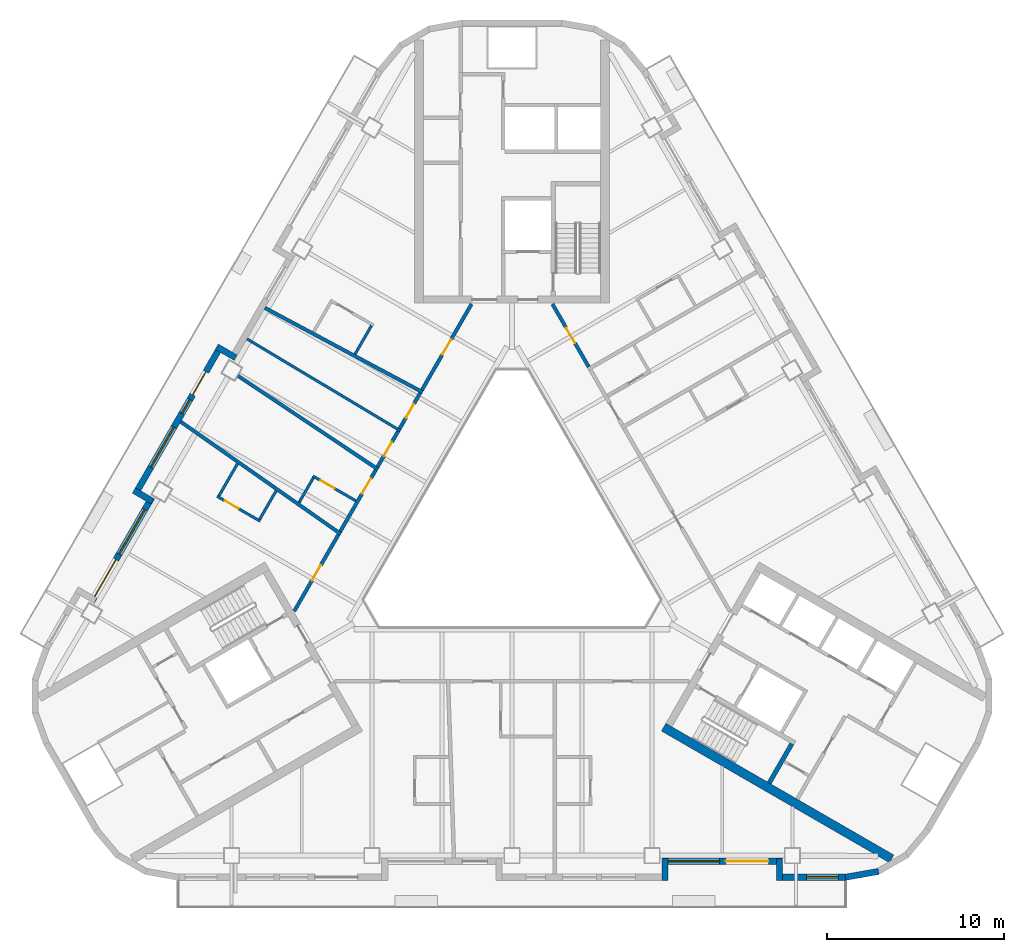
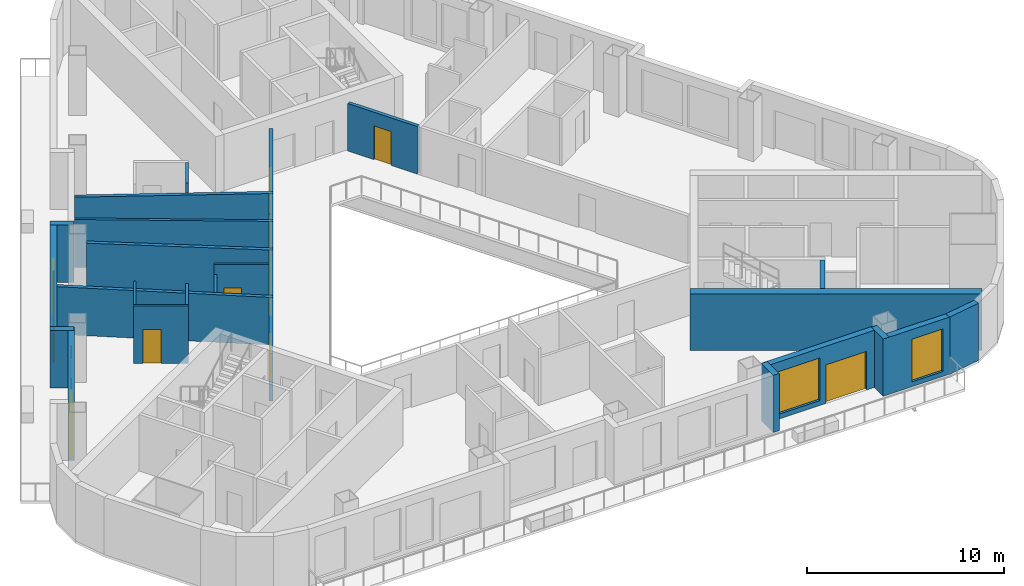
# One storey, part 4 of 13: 27 walls, 11 doors, 5 windows, 16 openings.
"""IFC4 building model written with IfcOpenShell, lengths in metres."""

import ifcopenshell
import ifcopenshell.guid

model = None  # the IFC model being written
_history = None  # IfcOwnerHistory: only IFC2X3 demands one
_inside = {}  # id of a spatial element -> (the spatial element, [elements in it])
_under = {}  # id of a project, library or spatial element -> (it, [spatial elements below it])
_declared = {}  # id of a project -> (the project, [libraries it declares])
_typed = {}  # id of a type object -> (the type object, [elements of that type])
_made_of = {}  # id of a material, layer set ... -> (it, [elements and type objects made of it])


def new_model(schema):
    """Start an empty IFC model of exactly this schema.

    Asked for "IFC4X3", IfcOpenShell would pick the latest addendum, in which some entities
    have other attributes; the version numbers below select the first issue.
    IFC2X3 requires an IfcOwnerHistory on every rooted entity: one is made here for all.
    """
    global model, _history
    if schema == "IFC4X3":
        model = ifcopenshell.file(schema_version=(4, 3, 0, 0))
    else:
        model = ifcopenshell.file(schema=schema)
    _inside.clear()
    _under.clear()
    _declared.clear()
    _typed.clear()
    _made_of.clear()
    _history = None
    if model.schema == "IFC2X3":
        org = make("IfcOrganization", Name="unknown")
        user = make(
            "IfcPersonAndOrganization",
            ThePerson=make("IfcPerson", FamilyName="unknown"),
            TheOrganization=org,
        )
        app = make(
            "IfcApplication",
            ApplicationDeveloper=org,
            Version="unknown",
            ApplicationFullName="unknown",
            ApplicationIdentifier="unknown",
        )
        _history = make(
            "IfcOwnerHistory",
            OwningUser=user,
            OwningApplication=app,
            ChangeAction="ADDED",
            CreationDate=0,
        )
    return model


def make(cls, **values):
    """One entity of the class cls with the attributes given. An attribute that is None is left unset."""
    return model.create_entity(
        cls, **{name: value for name, value in values.items() if value is not None}
    )


def rooted(cls, **values):
    """An entity with a GlobalId (a new one), such as an element, a storey or a relation."""
    return make(cls, GlobalId=ifcopenshell.guid.new(), OwnerHistory=_history, **values)


def si_unit(unit_type, name, prefix=None):
    """IfcSIUnit, for example si_unit("LENGTHUNIT", "METRE", prefix="MILLI")."""
    return make("IfcSIUnit", UnitType=unit_type, Prefix=prefix, Name=name)


def assignment(units):
    """IfcUnitAssignment: the units of a project."""
    return None if units is None else make("IfcUnitAssignment", Units=units)


def point(xyz):
    """IfcCartesianPoint."""
    return None if xyz is None else make("IfcCartesianPoint", Coordinates=xyz)


def direction(xyz):
    """IfcDirection."""
    return None if xyz is None else make("IfcDirection", DirectionRatios=xyz)


def frame(location, z_axis=None, x_axis=None):
    """IfcAxis2Placement3D, a coordinate frame: its origin and axes. An axis left out is left unset."""
    return make(
        "IfcAxis2Placement3D",
        Location=point(location),
        Axis=direction(z_axis),
        RefDirection=direction(x_axis),
    )


def frame_2d(location, x_axis=None):
    """IfcAxis2Placement2D, a coordinate frame in the plane: its origin and x axis."""
    return make(
        "IfcAxis2Placement2D", Location=point(location), RefDirection=direction(x_axis)
    )


def origin():
    """The frame at (0, 0, 0) with its axes left unset."""
    return frame((0.0, 0.0, 0.0))


def place(relative_to, where):
    """IfcLocalPlacement: puts the frame where relative to a parent placement (None: the world)."""
    return make(
        "IfcLocalPlacement", PlacementRelTo=relative_to, RelativePlacement=where
    )


def context(
    kind, dimensions, precision=None, world=None, true_north=None, identifier=None
):
    """IfcGeometricRepresentationContext, for example the 3D "Model" context."""
    return make(
        "IfcGeometricRepresentationContext",
        ContextIdentifier=identifier,
        ContextType=kind,
        CoordinateSpaceDimension=dimensions,
        Precision=precision,
        WorldCoordinateSystem=world,
        TrueNorth=true_north,
    )


def subcontext(parent, identifier, kind, view, scale=None):
    """IfcGeometricRepresentationSubContext, for example "Body" below "Model"."""
    return make(
        "IfcGeometricRepresentationSubContext",
        ContextIdentifier=identifier,
        ContextType=kind,
        ParentContext=parent,
        TargetScale=scale,
        TargetView=view,
    )


def project(units=None, contexts=None):
    """IfcProject with its units and contexts."""
    return rooted(
        "IfcProject",
        Name="project",
        RepresentationContexts=contexts,
        UnitsInContext=assignment(units),
    )


def spatial(cls, under=None, at=None, **own):
    """A site, building, storey or space (cls), placed at a placement, below another one or the project."""
    s = rooted(cls, ObjectPlacement=at, **own)
    if under is not None:
        _under.setdefault(under.id(), (under, []))[1].append(s)
    return s


def profile(cls, at=None, kind="AREA", **sizes):
    """A parametric profile (cls). Its sizes go by their IFC names, for example OverallWidth=200.0."""
    return make(cls, ProfileType=kind, Position=at, **sizes)


def rectangle(**sizes):
    """IfcRectangleProfileDef."""
    return profile("IfcRectangleProfileDef", **sizes)


def extrude(swept, where, along, depth):
    """IfcExtrudedAreaSolid: the profile swept, set in the frame where, extruded along a direction by depth."""
    return make(
        "IfcExtrudedAreaSolid",
        SweptArea=swept,
        Position=where,
        ExtrudedDirection=direction(along),
        Depth=depth,
    )


def shape(context_of_items, identifier, shape_type, items):
    """IfcShapeRepresentation: the items that make up one representation, for example the "Body"."""
    return make(
        "IfcShapeRepresentation",
        ContextOfItems=context_of_items,
        RepresentationIdentifier=identifier,
        RepresentationType=shape_type,
        Items=items,
    )


def material(Name=None, Category=None):
    """IfcMaterial."""
    return make("IfcMaterial", Name=Name, Category=Category)


def layer(
    of_material, thickness, ventilated=None, Name=None, Category=None, Priority=None
):
    """IfcMaterialLayer: one layer of a wall or slab, of a material (None: an air gap)."""
    return make(
        "IfcMaterialLayer",
        Material=of_material,
        LayerThickness=thickness,
        IsVentilated=ventilated,
        Name=Name,
        Category=Category,
        Priority=Priority,
    )


def layer_set(layers, Name=None):
    """IfcMaterialLayerSet."""
    return make("IfcMaterialLayerSet", MaterialLayers=layers, LayerSetName=Name)


def made_of(thing, what):
    """Note that an element or type object is made of a material, layer set ...; save() writes the relation."""
    if what is not None:
        _made_of.setdefault(what.id(), (what, []))[1].append(thing)
    return thing


def type_object(cls, material=None, **own):
    """A type object (cls), such as IfcWallType, which elements share."""
    return made_of(rooted(cls, **own), material)


def element(
    cls,
    number,
    at=None,
    inside=None,
    cuts=None,
    type_object=None,
    material=None,
    context=None,
    identifier="Body",
    shape_type=None,
    held_by="IfcProductDefinitionShape",
    body=None,
    shapes=None,
    **own,
):
    """One element of the class cls, such as IfcWall. Its Tag is "e" and its number.

    at: its placement. inside: the storey or other place that contains it. cuts: it is an
    opening in that element (IfcRelVoidsElement). A single representation is given by context,
    identifier, shape_type and body (its items); several are given by shapes. held_by: the class
    of the entity that holds the representations. save() writes the other relations.
    """
    e = rooted(cls, Tag="e%d" % number, ObjectPlacement=at, **own)
    if body is not None:
        shapes = [shape(context, identifier, shape_type, body)]
    if shapes is not None:
        e.Representation = make(held_by, Representations=shapes)
    if inside is not None:
        _inside.setdefault(inside.id(), (inside, []))[1].append(e)
    if cuts is not None:
        rooted(
            "IfcRelVoidsElement", RelatingBuildingElement=cuts, RelatedOpeningElement=e
        )
    if type_object is not None:
        _typed.setdefault(type_object.id(), (type_object, []))[1].append(e)
    return made_of(e, material)


def fill(opening, filler):
    """IfcRelFillsElement: the door or window that sits in an opening."""
    return rooted(
        "IfcRelFillsElement",
        RelatingOpeningElement=opening,
        RelatedBuildingElement=filler,
    )


def aggregate(whole, parts):
    """IfcRelAggregates: a whole, such as a stair, and the parts it consists of."""
    return rooted("IfcRelAggregates", RelatingObject=whole, RelatedObjects=parts)


def save(model, path):
    """Write the relations noted so far, then the file.

    IfcRelAggregates (storeys below a building ...), IfcRelContainedInSpatialStructure (elements
    in a storey), IfcRelDefinesByType, IfcRelAssociatesMaterial and IfcRelDeclares: one each for
    every whole, place, type object, material and project.
    """
    for whole, parts in _under.values():
        aggregate(whole, parts)
    for where, things in _inside.values():
        rooted(
            "IfcRelContainedInSpatialStructure",
            RelatedElements=things,
            RelatingStructure=where,
        )
    for kind, things in _typed.values():
        rooted("IfcRelDefinesByType", RelatedObjects=things, RelatingType=kind)
    for what, things in _made_of.values():
        rooted("IfcRelAssociatesMaterial", RelatedObjects=things, RelatingMaterial=what)
    for by, libraries in _declared.values():
        rooted("IfcRelDeclares", RelatingContext=by, RelatedDefinitions=libraries)
    model.write(path)


model = new_model("IFC4")

# Units and contexts
model_context = context("Model", 3, precision=1e-05, world=origin(), true_north=direction((0.0, 1.0)))
body_context = subcontext(model_context, "Body", "Model", "MODEL_VIEW")
ifc_project = project(units=[si_unit("LENGTHUNIT", "METRE"), si_unit("AREAUNIT", "SQUARE_METRE"), si_unit("VOLUMEUNIT", "CUBIC_METRE"), si_unit("PLANEANGLEUNIT", "RADIAN"), si_unit("MASSUNIT", "GRAM", prefix="KILO")], contexts=[model_context])

# Site, building, storey
site_placement = place(None, origin())
site = spatial("IfcSite", under=ifc_project, at=site_placement, CompositionType="ELEMENT")
building_placement = place(site_placement, origin())
building = spatial("IfcBuilding", under=site, at=building_placement, Name="Apuvela Tower Hotel", CompositionType="ELEMENT")
storey_placement = place(building_placement, frame((0.0, 0.0, 94.60009765625)))
storey = spatial("IfcBuildingStorey", under=building, at=storey_placement, Name="L21", CompositionType="ELEMENT", Elevation=94.60009765625)

# Walls
ifc_material_1 = material(Name="Concrete C50/60", Category="concrete")
ifc_layer_1 = layer(ifc_material_1, 0.5)
ifc_layer_set_1 = layer_set([ifc_layer_1], Name="COR-WALL-CORE-500")
wall_type_1 = type_object("IfcWallType", Name="COR-WALL-CORE-500", PredefinedType="SHEAR", material=ifc_layer_set_1)
wall_1_placement = place(storey_placement, frame((8.546630859375, -10.99658203125, 0.0), z_axis=(0.0, 0.0, 1.0), x_axis=(0.866025009528, -0.500000682871, 0.0)))
element("IfcWall", 1, at=wall_1_placement, inside=storey, type_object=wall_type_1, Name="Core wall SE", PredefinedType="SHEAR", context=body_context, shape_type="SweptSolid", body=[
    extrude(rectangle(XDim=14.8369140625, YDim=0.5, at=frame_2d((7.41845703125, 0.0))), origin(), (0.0, 0.0, 1.0), 3.5),
])
ifc_layer_2 = layer(ifc_material_1, 0.25)
ifc_layer_set_2 = layer_set([ifc_layer_2], Name="COR-WALL-STAIR-250")
wall_type_2 = type_object("IfcWallType", Name="COR-WALL-STAIR-250", PredefinedType="SHEAR", material=ifc_layer_set_2)
wall_2_placement = place(storey_placement, frame((14.49560546875, -14.142578125, 0.0), z_axis=(0.0, 0.0, 1.0), x_axis=(0.500062241894, 0.865989465428, 0.0)))
element("IfcWall", 2, at=wall_2_placement, inside=storey, type_object=wall_type_2, Name="Stair wall SE", PredefinedType="SHEAR", context=body_context, shape_type="SweptSolid", body=[
    extrude(rectangle(XDim=2.550048828125, YDim=0.25, at=frame_2d((1.27490234375, 0.0))), origin(), (0.0, 0.0, 1.0), 3.5),
])
ifc_material_2 = material(Name="Concrete C40/50, dark pigmented precast panel", Category="concrete")
ifc_layer_3 = layer(ifc_material_2, 0.35009765625)
ifc_layer_set_3 = layer_set([ifc_layer_3], Name="ENV-WALL-350")
wall_type_3 = type_object("IfcWallType", Name="ENV-WALL-350", PredefinedType="SOLIDWALL", material=ifc_layer_set_3)
wall_3_placement = place(storey_placement, frame((-15.580810546875, 9.8330078125, 0.0), z_axis=(0.0, 0.0, 1.0), x_axis=(-0.866055662726, 0.499947586314, 0.0)))
element("IfcWall", 3, at=wall_3_placement, inside=storey, type_object=wall_type_3, Name="External wall L21-04", PredefinedType="SOLIDWALL", context=body_context, shape_type="SweptSolid", body=[
    extrude(rectangle(XDim=1.220458984375, YDim=0.35009765625, at=frame_2d((0.6103515625, 0.0))), origin(), (0.0, 0.0, 1.0), 3.5498046875),
])

# Wall, openings, door, windows
wall_4_placement = place(storey_placement, frame((-16.3984375, 10.507080078125, 0.0), z_axis=(0.0, 0.0, 1.0), x_axis=(-0.499999142773, -0.866025898704, 0.0)))
wall_4 = element("IfcWall", 4, at=wall_4_placement, inside=storey, type_object=wall_type_3, Name="External wall L21-05", PredefinedType="SOLIDWALL", context=body_context, shape_type="SweptSolid", body=[
    extrude(rectangle(XDim=9.7001953125, YDim=0.35009765625, at=frame_2d((4.85009765625, 0.0))), origin(), (0.0, 0.0, 1.0), 3.5498046875),
])
opening_1_placement = place(wall_4_placement, frame((1.7001953125, 0.0, 0.0)))
opening_1 = element("IfcOpeningElement", 5, at=opening_1_placement, cuts=wall_4, Name="Opening BD15", PredefinedType="OPENING", context=body_context, shape_type="SweptSolid", body=[
    extrude(rectangle(XDim=1.5, YDim=2.39990234375, at=frame_2d((0.75, 1.199951171875))), frame((0.0, 0.18505859375, 0.0), z_axis=(0.0, -1.0, 0.0), x_axis=(1.0, 0.0, 0.0)), (0.0, 0.0, 1.0), 0.3701171875),
])
opening_2_placement = place(wall_4_placement, frame((3.500244140625, 0.0, 0.300048828125)))
opening_2 = element("IfcOpeningElement", 6, at=opening_2_placement, cuts=wall_4, Name="Opening WN09", PredefinedType="OPENING", context=body_context, shape_type="SweptSolid", body=[
    extrude(rectangle(XDim=0.89990234375, YDim=2.64990234375, at=frame_2d((0.449951171875, 1.324951171875))), frame((0.0, 0.18505859375, 0.0), z_axis=(0.0, -1.0, 0.0), x_axis=(1.0, 0.0, 0.0)), (0.0, 0.0, 1.0), 0.3701171875),
])
opening_3_placement = place(wall_4_placement, frame((5.300537109375, 0.0, 0.300048828125)))
opening_3 = element("IfcOpeningElement", 7, at=opening_3_placement, cuts=wall_4, Name="Opening WN26", PredefinedType="OPENING", context=body_context, shape_type="SweptSolid", body=[
    extrude(rectangle(XDim=2.60009765625, YDim=2.64990234375, at=frame_2d((1.300048828125, 1.324951171875))), frame((0.0, 0.18505859375, 0.0), z_axis=(0.0, -1.0, 0.0), x_axis=(1.0, 0.0, 0.0)), (0.0, 0.0, 1.0), 0.3701171875),
])
ifc_material_3 = material(Name="Aluminium 6063-T6, dark bronze anodised frame with dark tinted laminated glass", Category="aluminium")
door_type_1 = type_object("IfcDoorType", Name="ENV-DOOR-BALCONY-1500x2400", OperationType="SLIDING_TO_LEFT", PredefinedType="DOOR", material=ifc_material_3)
door_1_placement = place(opening_1_placement, frame((1.5, 0.0, 0.0), z_axis=(0.0, 0.0, 1.0), x_axis=(-1.0, 0.0, 0.0)))
door_1 = element("IfcDoor", 8, at=door_1_placement, inside=storey, type_object=door_type_1, Name="Balcony door BD15", OperationType="SLIDING_TO_LEFT", OverallHeight=2.39990234375, OverallWidth=1.5, PredefinedType="DOOR", context=body_context, shape_type="SweptSolid", body=[
    extrude(rectangle(XDim=1.5, YDim=2.39990234375, at=frame_2d((0.75, 1.199951171875))), frame((0.0, 0.02490234375, 0.0), z_axis=(0.0, -1.0, 0.0), x_axis=(1.0, 0.0, 0.0)), (0.0, 0.0, 1.0), 0.050048828125),
])
fill(opening_1, door_1)
ifc_material_4 = material(Name="Glass, dark tinted laminated insulated glazing unit", Category="glass")
window_type_1 = type_object("IfcWindowType", Name="ENV-WIN-2600x2650", PartitioningType="SINGLE_PANEL", PredefinedType="WINDOW", material=ifc_material_4)
window_1_placement = place(opening_3_placement, origin())
window_1 = element("IfcWindow", 9, at=window_1_placement, inside=storey, type_object=window_type_1, Name="Window WN26", OverallHeight=2.64990234375, OverallWidth=2.60009765625, PartitioningType="SINGLE_PANEL", PredefinedType="WINDOW", context=body_context, shape_type="SweptSolid", body=[
    extrude(rectangle(XDim=2.60009765625, YDim=2.64990234375, at=frame_2d((1.300048828125, 1.324951171875))), frame((0.0, 0.030029296875, 0.0), z_axis=(0.0, -1.0, 0.0), x_axis=(1.0, 0.0, 0.0)), (0.0, 0.0, 1.0), 0.06005859375),
])
fill(opening_3, window_1)
window_type_2 = type_object("IfcWindowType", Name="ENV-WIN-900x2650", PartitioningType="SINGLE_PANEL", PredefinedType="WINDOW", material=ifc_material_4)
window_2_placement = place(opening_2_placement, origin())
window_2 = element("IfcWindow", 10, at=window_2_placement, inside=storey, type_object=window_type_2, Name="Window WN09", OverallHeight=2.64990234375, OverallWidth=0.89990234375, PartitioningType="SINGLE_PANEL", PredefinedType="WINDOW", context=body_context, shape_type="SweptSolid", body=[
    extrude(rectangle(XDim=0.89990234375, YDim=2.64990234375, at=frame_2d((0.449951171875, 1.324951171875))), frame((0.0, 0.030029296875, 0.0), z_axis=(0.0, -1.0, 0.0), x_axis=(1.0, 0.0, 0.0)), (0.0, 0.0, 1.0), 0.06005859375),
])
fill(opening_2, window_2)

# Wall
wall_5_placement = place(storey_placement, frame((-21.3125, 2.345703125, 0.0), z_axis=(0.0, 0.0, 1.0), x_axis=(0.866005645448, -0.500034220881, 0.0)))
element("IfcWall", 11, at=wall_5_placement, inside=storey, type_object=wall_type_3, Name="External wall L21-06", PredefinedType="SOLIDWALL", context=body_context, shape_type="SweptSolid", body=[
    extrude(rectangle(XDim=1.22021484375, YDim=0.35009765625, at=frame_2d((0.610107421875, 0.0))), origin(), (0.0, 0.0, 1.0), 3.5498046875),
])

# Wall, openings, door, window
wall_6_placement = place(storey_placement, frame((-20.30908203125, 1.93359375, 0.0), z_axis=(0.0, 0.0, 1.0), x_axis=(-0.499992114976, -0.866029956157, 0.0)))
wall_6 = element("IfcWall", 12, at=wall_6_placement, inside=storey, type_object=wall_type_3, Name="External wall L21-07", PredefinedType="SOLIDWALL", context=body_context, shape_type="SweptSolid", body=[
    extrude(rectangle(XDim=6.73974609375, YDim=0.35009765625, at=frame_2d((3.369873046875, 0.0))), origin(), (0.0, 0.0, 1.0), 3.5498046875),
])
opening_4_placement = place(wall_6_placement, frame((4.02001953125, 0.0, 0.0)))
opening_4 = element("IfcOpeningElement", 13, at=opening_4_placement, cuts=wall_6, Name="Opening BD24", PredefinedType="OPENING", context=body_context, shape_type="SweptSolid", body=[
    extrude(rectangle(XDim=2.39990234375, YDim=2.39990234375, at=frame_2d((1.199951171875, 1.199951171875))), frame((0.0, 0.18505859375, 0.0), z_axis=(0.0, -1.0, 0.0), x_axis=(1.0, 0.0, 0.0)), (0.0, 0.0, 1.0), 0.3701171875),
])
opening_5_placement = place(wall_6_placement, frame((0.77001953125, 0.0, 0.300048828125)))
opening_5 = element("IfcOpeningElement", 14, at=opening_5_placement, cuts=wall_6, Name="Opening WN29", PredefinedType="OPENING", context=body_context, shape_type="SweptSolid", body=[
    extrude(rectangle(XDim=2.89990234375, YDim=2.64990234375, at=frame_2d((1.449951171875, 1.324951171875))), frame((0.0, 0.18505859375, 0.0), z_axis=(0.0, -1.0, 0.0), x_axis=(1.0, 0.0, 0.0)), (0.0, 0.0, 1.0), 0.3701171875),
])
door_type_2 = type_object("IfcDoorType", Name="ENV-DOOR-BALCONY-2400x2400", OperationType="SLIDING_TO_LEFT", PredefinedType="DOOR", material=ifc_material_3)
door_2_placement = place(opening_4_placement, frame((2.39990234375, 0.0, 0.0), z_axis=(0.0, 0.0, 1.0), x_axis=(-1.0, 0.0, 0.0)))
door_2 = element("IfcDoor", 15, at=door_2_placement, inside=storey, type_object=door_type_2, Name="Balcony door BD24", OperationType="SLIDING_TO_LEFT", OverallHeight=2.39990234375, OverallWidth=2.39990234375, PredefinedType="DOOR", context=body_context, shape_type="SweptSolid", body=[
    extrude(rectangle(XDim=2.39990234375, YDim=2.39990234375, at=frame_2d((1.199951171875, 1.199951171875))), frame((0.0, 0.02490234375, 0.0), z_axis=(0.0, -1.0, 0.0), x_axis=(1.0, 0.0, 0.0)), (0.0, 0.0, 1.0), 0.050048828125),
])
fill(opening_4, door_2)
window_type_3 = type_object("IfcWindowType", Name="ENV-WIN-2900x2650", PartitioningType="SINGLE_PANEL", PredefinedType="WINDOW", material=ifc_material_4)
window_3_placement = place(opening_5_placement, origin())
window_3 = element("IfcWindow", 16, at=window_3_placement, inside=storey, type_object=window_type_3, Name="Window WN29", OverallHeight=2.64990234375, OverallWidth=2.89990234375, PartitioningType="SINGLE_PANEL", PredefinedType="WINDOW", context=body_context, shape_type="SweptSolid", body=[
    extrude(rectangle(XDim=2.89990234375, YDim=2.64990234375, at=frame_2d((1.449951171875, 1.324951171875))), frame((0.0, 0.030029296875, 0.0), z_axis=(0.0, -1.0, 0.0), x_axis=(1.0, 0.0, 0.0)), (0.0, 0.0, 1.0), 0.06005859375),
])
fill(opening_5, window_3)

# Wall
wall_7_placement = place(storey_placement, frame((8.625, -19.6298828125, 0.0), z_axis=(0.0, 0.0, 1.0), x_axis=(0.0, 1.0, 0.0)))
element("IfcWall", 17, at=wall_7_placement, inside=storey, type_object=wall_type_3, Name="External wall L21-22", PredefinedType="SOLIDWALL", context=body_context, shape_type="SweptSolid", body=[
    extrude(rectangle(XDim=1.219970703125, YDim=0.35009765625, at=frame_2d((0.60986328125, 0.0))), origin(), (0.0, 0.0, 1.0), 3.5498046875),
])

# Wall, openings, door, window
wall_8_placement = place(storey_placement, frame((8.47998046875, -18.554931640625, 0.0), z_axis=(0.0, 0.0, 1.0), x_axis=(1.0, 0.0, 0.0)))
wall_8 = element("IfcWall", 18, at=wall_8_placement, inside=storey, type_object=wall_type_3, Name="External wall L21-23", PredefinedType="SOLIDWALL", context=body_context, shape_type="SweptSolid", body=[
    extrude(rectangle(XDim=6.739990234375, YDim=0.35009765625, at=frame_2d((3.3701171875, 0.0))), origin(), (0.0, 0.0, 1.0), 3.5498046875),
])
opening_6_placement = place(wall_8_placement, frame((3.570068359375, 0.0, 0.0)))
opening_6 = element("IfcOpeningElement", 19, at=opening_6_placement, cuts=wall_8, Name="Opening BD24", PredefinedType="OPENING", context=body_context, shape_type="SweptSolid", body=[
    extrude(rectangle(XDim=2.39990234375, YDim=2.39990234375, at=frame_2d((1.199951171875, 1.199951171875))), frame((0.0, 0.18505859375, 0.0), z_axis=(0.0, -1.0, 0.0), x_axis=(1.0, 0.0, 0.0)), (0.0, 0.0, 1.0), 0.3701171875),
])
opening_7_placement = place(wall_8_placement, frame((0.3203125, 0.0, 0.300048828125)))
opening_7 = element("IfcOpeningElement", 20, at=opening_7_placement, cuts=wall_8, Name="Opening WN29", PredefinedType="OPENING", context=body_context, shape_type="SweptSolid", body=[
    extrude(rectangle(XDim=2.89990234375, YDim=2.64990234375, at=frame_2d((1.449951171875, 1.324951171875))), frame((0.0, 0.18505859375, 0.0), z_axis=(0.0, -1.0, 0.0), x_axis=(1.0, 0.0, 0.0)), (0.0, 0.0, 1.0), 0.3701171875),
])
door_3_placement = place(opening_6_placement, frame((2.39990234375, 0.0, 0.0), z_axis=(0.0, 0.0, 1.0), x_axis=(-1.0, 0.0, 0.0)))
door_3 = element("IfcDoor", 21, at=door_3_placement, inside=storey, type_object=door_type_2, Name="Balcony door BD24", OperationType="SLIDING_TO_LEFT", OverallHeight=2.39990234375, OverallWidth=2.39990234375, PredefinedType="DOOR", context=body_context, shape_type="SweptSolid", body=[
    extrude(rectangle(XDim=2.39990234375, YDim=2.39990234375, at=frame_2d((1.199951171875, 1.199951171875))), frame((0.0, 0.02490234375, 0.0), z_axis=(0.0, -1.0, 0.0), x_axis=(1.0, 0.0, 0.0)), (0.0, 0.0, 1.0), 0.050048828125),
])
fill(opening_6, door_3)
window_4_placement = place(opening_7_placement, origin())
window_4 = element("IfcWindow", 22, at=window_4_placement, inside=storey, type_object=window_type_3, Name="Window WN29", OverallHeight=2.64990234375, OverallWidth=2.89990234375, PartitioningType="SINGLE_PANEL", PredefinedType="WINDOW", context=body_context, shape_type="SweptSolid", body=[
    extrude(rectangle(XDim=2.89990234375, YDim=2.64990234375, at=frame_2d((1.449951171875, 1.324951171875))), frame((0.0, 0.030029296875, 0.0), z_axis=(0.0, -1.0, 0.0), x_axis=(1.0, 0.0, 0.0)), (0.0, 0.0, 1.0), 0.06005859375),
])
fill(opening_7, window_4)

# Wall
wall_9_placement = place(storey_placement, frame((15.074951171875, -18.409912109375, 0.0), z_axis=(0.0, 0.0, 1.0), x_axis=(0.0, -1.0, 0.0)))
element("IfcWall", 23, at=wall_9_placement, inside=storey, type_object=wall_type_3, Name="External wall L21-24", PredefinedType="SOLIDWALL", context=body_context, shape_type="SweptSolid", body=[
    extrude(rectangle(XDim=1.219970703125, YDim=0.35009765625, at=frame_2d((0.60986328125, 0.0))), origin(), (0.0, 0.0, 1.0), 3.5498046875),
])

# Wall, opening, window
wall_10_placement = place(storey_placement, frame((14.89990234375, -19.455078125, 0.0), z_axis=(0.0, 0.0, 1.0), x_axis=(1.0, 0.0, 0.0)))
wall_10 = element("IfcWall", 24, at=wall_10_placement, inside=storey, type_object=wall_type_3, Name="External wall L21-25", PredefinedType="SOLIDWALL", context=body_context, shape_type="SweptSolid", body=[
    extrude(rectangle(XDim=3.916015625, YDim=0.35009765625, at=frame_2d((1.9580078125, 0.0))), origin(), (0.0, 0.0, 1.0), 3.5498046875),
])
opening_8_placement = place(wall_10_placement, frame((1.699951171875, 0.0, 0.300048828125)))
opening_8 = element("IfcOpeningElement", 25, at=opening_8_placement, cuts=wall_10, Name="Opening WN18", PredefinedType="OPENING", context=body_context, shape_type="SweptSolid", body=[
    extrude(rectangle(XDim=1.800048828125, YDim=2.64990234375, at=frame_2d((0.89990234375, 1.324951171875))), frame((0.0, 0.18505859375, 0.0), z_axis=(0.0, -1.0, 0.0), x_axis=(1.0, 0.0, 0.0)), (0.0, 0.0, 1.0), 0.3701171875),
])
window_type_4 = type_object("IfcWindowType", Name="ENV-WIN-1800x2650", PartitioningType="SINGLE_PANEL", PredefinedType="WINDOW", material=ifc_material_4)
window_5_placement = place(opening_8_placement, origin())
window_5 = element("IfcWindow", 26, at=window_5_placement, inside=storey, type_object=window_type_4, Name="Window WN18", OverallHeight=2.64990234375, OverallWidth=1.800048828125, PartitioningType="SINGLE_PANEL", PredefinedType="WINDOW", context=body_context, shape_type="SweptSolid", body=[
    extrude(rectangle(XDim=1.800048828125, YDim=2.64990234375, at=frame_2d((0.89990234375, 1.324951171875))), frame((0.0, 0.030029296875, 0.0), z_axis=(0.0, -1.0, 0.0), x_axis=(1.0, 0.0, 0.0)), (0.0, 0.0, 1.0), 0.06005859375),
])
fill(opening_8, window_5)

# Walls
wall_11_placement = place(storey_placement, frame((18.785400390625, -19.457763671875, 0.0), z_axis=(0.0, 0.0, 1.0), x_axis=(0.984798995425, 0.173697837091, 0.0)))
element("IfcWall", 27, at=wall_11_placement, inside=storey, type_object=wall_type_3, Name="External wall L21-26", PredefinedType="SOLIDWALL", context=body_context, shape_type="SweptSolid", body=[
    extrude(rectangle(XDim=1.91015625, YDim=0.35009765625, at=frame_2d((0.955078125, 0.0))), origin(), (0.0, 0.0, 1.0), 3.5498046875),
])
ifc_material_5 = material(Name="Gypsum board partition on twin steel stud", Category="steel")
ifc_layer_4 = layer(ifc_material_5, 0.199951171875)
ifc_layer_set_4 = layer_set([ifc_layer_4], Name="GST-PW1")
wall_type_4 = type_object("IfcWallType", Name="GST-PW1", PredefinedType="PARTITIONING", material=ifc_layer_set_4)
wall_12_placement = place(storey_placement, frame((-13.927978515625, 12.635986328125, 0.0), z_axis=(0.0, 0.0, 1.0), x_axis=(0.881791431821, -0.471639555981, 0.0)))
element("IfcWall", 28, at=wall_12_placement, inside=storey, type_object=wall_type_4, Name="L21 partition 05", PredefinedType="PARTITIONING", context=body_context, shape_type="SweptSolid", body=[
    extrude(rectangle(XDim=10.085205078125, YDim=0.199951171875, at=frame_2d((5.04248046875, 0.0))), origin(), (0.0, 0.0, 1.0), 2.949951171875),
])
wall_13_placement = place(storey_placement, frame((-15.446533203125, 8.8056640625, 0.0), z_axis=(0.0, 0.0, 1.0), x_axis=(0.831801127359, -0.55507376494, 0.0)))
element("IfcWall", 29, at=wall_13_placement, inside=storey, type_object=wall_type_4, Name="L21 partition 06", PredefinedType="PARTITIONING", context=body_context, shape_type="SweptSolid", body=[
    extrude(rectangle(XDim=9.5, YDim=0.199951171875, at=frame_2d((4.75, 0.0))), origin(), (0.0, 0.0, 1.0), 2.949951171875),
])
wall_14_placement = place(storey_placement, frame((-18.672119140625, 6.21923828125, 0.0), z_axis=(0.0, 0.0, 1.0), x_axis=(0.81879048929, -0.574092444341, 0.0)))
element("IfcWall", 30, at=wall_14_placement, inside=storey, type_object=wall_type_4, Name="L21 partition 07", PredefinedType="PARTITIONING", context=body_context, shape_type="SweptSolid", body=[
    extrude(rectangle(XDim=11.02294921875, YDim=0.199951171875, at=frame_2d((5.511474609375, 0.0))), origin(), (0.0, 0.0, 1.0), 2.949951171875),
])

# Wall, opening, door
ifc_material_6 = material(Name="Gypsum board corridor wall on twin steel stud, acoustic", Category="steel")
ifc_layer_5 = layer(ifc_material_6, 0.199951171875)
ifc_layer_set_5 = layer_set([ifc_layer_5], Name="GST-PW2")
wall_type_5 = type_object("IfcWallType", Name="GST-PW2", PredefinedType="PARTITIONING", material=ifc_layer_set_5)
wall_15_placement = place(storey_placement, frame((2.280517578125, 12.85009765625, 0.0), z_axis=(0.0, 0.0, 1.0), x_axis=(0.500011931275, -0.86601851515, 0.0)))
wall_15 = element("IfcWall", 31, at=wall_15_placement, inside=storey, type_object=wall_type_5, Name="L21 partition 26", PredefinedType="PARTITIONING", context=body_context, shape_type="SweptSolid", body=[
    extrude(rectangle(XDim=4.08837890625, YDim=0.199951171875, at=frame_2d((2.044189453125, 0.0))), origin(), (0.0, 0.0, 1.0), 2.949951171875),
])
opening_9_placement = place(wall_15_placement, frame((1.544189453125, 0.0, 0.0)))
opening_9 = element("IfcOpeningElement", 32, at=opening_9_placement, cuts=wall_15, Name="Opening GD07-12", PredefinedType="OPENING", context=body_context, shape_type="SweptSolid", body=[
    extrude(rectangle(XDim=1.0, YDim=2.10009765625, at=frame_2d((0.5, 1.050048828125))), frame((0.0, 0.10986328125, 0.0), z_axis=(0.0, -1.0, 0.0), x_axis=(1.0, 0.0, 0.0)), (0.0, 0.0, 1.0), 0.219970703125),
])
ifc_material_7 = material(Name="Timber door leaf in steel frame", Category="steel")
door_type_3 = type_object("IfcDoorType", Name="GST-D1", OperationType="NOTDEFINED", PredefinedType="DOOR", material=ifc_material_7)
door_4_placement = place(opening_9_placement, origin())
door_4 = element("IfcDoor", 33, at=door_4_placement, inside=storey, type_object=door_type_3, Name="Door L21-12", OperationType="SINGLE_SWING_RIGHT", OverallHeight=2.10009765625, OverallWidth=1.0, PredefinedType="DOOR", context=body_context, shape_type="SweptSolid", body=[
    extrude(rectangle(XDim=1.0, YDim=2.10009765625, at=frame_2d((0.5, 1.050048828125))), frame((0.0, 0.02490234375, 0.0), z_axis=(0.0, -1.0, 0.0), x_axis=(1.0, 0.0, 0.0)), (0.0, 0.0, 1.0), 0.050048828125),
])
fill(opening_9, door_4)

wall_16_placement = place(storey_placement, frame((-5.072998046875, 8.013427734375, 0.0), z_axis=(0.0, 0.0, 1.0), x_axis=(0.500003731568, 0.866023249352, 0.0)))
wall_16 = element("IfcWall", 34, at=wall_16_placement, inside=storey, type_object=wall_type_5, Name="L21 partition 30", PredefinedType="PARTITIONING", context=body_context, shape_type="SweptSolid", body=[
    extrude(rectangle(XDim=5.5849609375, YDim=0.199951171875, at=frame_2d((2.79248046875, 0.0))), origin(), (0.0, 0.0, 1.0), 2.949951171875),
])
opening_10_placement = place(wall_16_placement, frame((2.29248046875, 0.0, 0.0)))
opening_10 = element("IfcOpeningElement", 35, at=opening_10_placement, cuts=wall_16, Name="Opening GD07-14", PredefinedType="OPENING", context=body_context, shape_type="SweptSolid", body=[
    extrude(rectangle(XDim=1.0, YDim=2.10009765625, at=frame_2d((0.5, 1.050048828125))), frame((0.0, 0.10986328125, 0.0), z_axis=(0.0, -1.0, 0.0), x_axis=(1.0, 0.0, 0.0)), (0.0, 0.0, 1.0), 0.219970703125),
])
door_5_placement = place(opening_10_placement, origin())
door_5 = element("IfcDoor", 36, at=door_5_placement, inside=storey, type_object=door_type_3, Name="Door L21-14", OperationType="SINGLE_SWING_LEFT", OverallHeight=2.10009765625, OverallWidth=1.0, PredefinedType="DOOR", context=body_context, shape_type="SweptSolid", body=[
    extrude(rectangle(XDim=1.0, YDim=2.10009765625, at=frame_2d((0.5, 1.050048828125))), frame((0.0, 0.02490234375, 0.0), z_axis=(0.0, -1.0, 0.0), x_axis=(1.0, 0.0, 0.0)), (0.0, 0.0, 1.0), 0.050048828125),
])
fill(opening_10, door_5)

wall_17_placement = place(storey_placement, frame((-6.337890625, 5.822509765625, 0.0), z_axis=(0.0, 0.0, 1.0), x_axis=(0.499982502246, 0.866035505882, 0.0)))
wall_17 = element("IfcWall", 37, at=wall_17_placement, inside=storey, type_object=wall_type_5, Name="L21 partition 35", PredefinedType="PARTITIONING", context=body_context, shape_type="SweptSolid", body=[
    extrude(rectangle(XDim=2.32958984375, YDim=0.199951171875, at=frame_2d((1.164794921875, 0.0))), origin(), (0.0, 0.0, 1.0), 2.949951171875),
])
opening_11_placement = place(wall_17_placement, frame((0.71484375, 0.0, 0.0)))
opening_11 = element("IfcOpeningElement", 38, at=opening_11_placement, cuts=wall_17, Name="Opening GD07-15", PredefinedType="OPENING", context=body_context, shape_type="SweptSolid", body=[
    extrude(rectangle(XDim=0.89990234375, YDim=2.10009765625, at=frame_2d((0.449951171875, 1.050048828125))), frame((0.0, 0.10986328125, 0.0), z_axis=(0.0, -1.0, 0.0), x_axis=(1.0, 0.0, 0.0)), (0.0, 0.0, 1.0), 0.219970703125),
])
door_type_4 = type_object("IfcDoorType", Name="GST-D2", OperationType="NOTDEFINED", PredefinedType="DOOR", material=ifc_material_7)
door_6_placement = place(opening_11_placement, origin())
door_6 = element("IfcDoor", 39, at=door_6_placement, inside=storey, type_object=door_type_4, Name="Door L21-15", OperationType="SINGLE_SWING_LEFT", OverallHeight=2.10009765625, OverallWidth=0.89990234375, PredefinedType="DOOR", context=body_context, shape_type="SweptSolid", body=[
    extrude(rectangle(XDim=0.89990234375, YDim=2.10009765625, at=frame_2d((0.449951171875, 1.050048828125))), frame((0.0, 0.02490234375, 0.0), z_axis=(0.0, -1.0, 0.0), x_axis=(1.0, 0.0, 0.0)), (0.0, 0.0, 1.0), 0.050048828125),
])
fill(opening_11, door_6)

wall_18_placement = place(storey_placement, frame((-7.577880859375, 3.6748046875, 0.0), z_axis=(0.0, 0.0, 1.0), x_axis=(0.500061095026, 0.865990127681, 0.0)))
wall_18 = element("IfcWall", 40, at=wall_18_placement, inside=storey, type_object=wall_type_5, Name="L21 partition 36", PredefinedType="PARTITIONING", context=body_context, shape_type="SweptSolid", body=[
    extrude(rectangle(XDim=2.329833984375, YDim=0.199951171875, at=frame_2d((1.1650390625, 0.0))), origin(), (0.0, 0.0, 1.0), 2.949951171875),
])
opening_12_placement = place(wall_18_placement, frame((0.71484375, 0.0, 0.0)))
opening_12 = element("IfcOpeningElement", 41, at=opening_12_placement, cuts=wall_18, Name="Opening GD07-16", PredefinedType="OPENING", context=body_context, shape_type="SweptSolid", body=[
    extrude(rectangle(XDim=0.89990234375, YDim=2.10009765625, at=frame_2d((0.449951171875, 1.050048828125))), frame((0.0, 0.10986328125, 0.0), z_axis=(0.0, -1.0, 0.0), x_axis=(1.0, 0.0, 0.0)), (0.0, 0.0, 1.0), 0.219970703125),
])
door_7_placement = place(opening_12_placement, origin())
door_7 = element("IfcDoor", 42, at=door_7_placement, inside=storey, type_object=door_type_4, Name="Door L21-16", OperationType="SINGLE_SWING_RIGHT", OverallHeight=2.10009765625, OverallWidth=0.89990234375, PredefinedType="DOOR", context=body_context, shape_type="SweptSolid", body=[
    extrude(rectangle(XDim=0.89990234375, YDim=2.10009765625, at=frame_2d((0.449951171875, 1.050048828125))), frame((0.0, 0.02490234375, 0.0), z_axis=(0.0, -1.0, 0.0), x_axis=(1.0, 0.0, 0.0)), (0.0, 0.0, 1.0), 0.050048828125),
])
fill(opening_12, door_7)

wall_19_placement = place(storey_placement, frame((-9.6787109375, 0.035888671875, 0.0), z_axis=(0.0, 0.0, 1.0), x_axis=(0.499977712642, 0.866038271014, 0.0)))
wall_19 = element("IfcWall", 43, at=wall_19_placement, inside=storey, type_object=wall_type_5, Name="L21 partition 37", PredefinedType="PARTITIONING", context=body_context, shape_type="SweptSolid", body=[
    extrude(rectangle(XDim=4.001708984375, YDim=0.199951171875, at=frame_2d((2.0009765625, 0.0))), origin(), (0.0, 0.0, 1.0), 2.949951171875),
])
opening_13_placement = place(wall_19_placement, frame((2.458740234375, 0.0, 0.0)))
opening_13 = element("IfcOpeningElement", 44, at=opening_13_placement, cuts=wall_19, Name="Opening GD07-18", PredefinedType="OPENING", context=body_context, shape_type="SweptSolid", body=[
    extrude(rectangle(XDim=1.0, YDim=2.10009765625, at=frame_2d((0.5, 1.050048828125))), frame((0.0, 0.10986328125, 0.0), z_axis=(0.0, -1.0, 0.0), x_axis=(1.0, 0.0, 0.0)), (0.0, 0.0, 1.0), 0.219970703125),
])
door_8_placement = place(opening_13_placement, origin())
door_8 = element("IfcDoor", 45, at=door_8_placement, inside=storey, type_object=door_type_3, Name="Door L21-18", OperationType="SINGLE_SWING_RIGHT", OverallHeight=2.10009765625, OverallWidth=1.0, PredefinedType="DOOR", context=body_context, shape_type="SweptSolid", body=[
    extrude(rectangle(XDim=1.0, YDim=2.10009765625, at=frame_2d((0.5, 1.050048828125))), frame((0.0, 0.02490234375, 0.0), z_axis=(0.0, -1.0, 0.0), x_axis=(1.0, 0.0, 0.0)), (0.0, 0.0, 1.0), 0.050048828125),
])
fill(opening_13, door_8)

wall_20_placement = place(storey_placement, frame((-12.268798828125, -4.449951171875, 0.0), z_axis=(0.0, 0.0, 1.0), x_axis=(0.500015331954, 0.866016551696, 0.0)))
wall_20 = element("IfcWall", 46, at=wall_20_placement, inside=storey, type_object=wall_type_5, Name="L21 partition 40", PredefinedType="PARTITIONING", context=body_context, shape_type="SweptSolid", body=[
    extrude(rectangle(XDim=4.978759765625, YDim=0.199951171875, at=frame_2d((2.4892578125, 0.0))), origin(), (0.0, 0.0, 1.0), 2.949951171875),
])
opening_14_placement = place(wall_20_placement, frame((1.989501953125, 0.0, 0.0)))
opening_14 = element("IfcOpeningElement", 47, at=opening_14_placement, cuts=wall_20, Name="Opening GD07-20", PredefinedType="OPENING", context=body_context, shape_type="SweptSolid", body=[
    extrude(rectangle(XDim=1.0, YDim=2.10009765625, at=frame_2d((0.5, 1.050048828125))), frame((0.0, 0.10986328125, 0.0), z_axis=(0.0, -1.0, 0.0), x_axis=(1.0, 0.0, 0.0)), (0.0, 0.0, 1.0), 0.219970703125),
])
door_9_placement = place(opening_14_placement, origin())
door_9 = element("IfcDoor", 48, at=door_9_placement, inside=storey, type_object=door_type_3, Name="Door L21-20", OperationType="SINGLE_SWING_RIGHT", OverallHeight=2.10009765625, OverallWidth=1.0, PredefinedType="DOOR", context=body_context, shape_type="SweptSolid", body=[
    extrude(rectangle(XDim=1.0, YDim=2.10009765625, at=frame_2d((0.5, 1.050048828125))), frame((0.0, 0.02490234375, 0.0), z_axis=(0.0, -1.0, 0.0), x_axis=(1.0, 0.0, 0.0)), (0.0, 0.0, 1.0), 0.050048828125),
])
fill(opening_14, door_9)

# Walls
ifc_material_8 = material(Name="Moisture-resistant gypsum board wet wall on steel stud", Category="steel")
ifc_layer_6 = layer(ifc_material_8, 0.14990234375)
ifc_layer_set_6 = layer_set([ifc_layer_6], Name="GST-PW3")
wall_type_6 = type_object("IfcWallType", Name="GST-PW3", PredefinedType="PARTITIONING", material=ifc_layer_set_6)
wall_21_placement = place(storey_placement, frame((-7.91845703125, 11.635009765625, 0.0), z_axis=(0.0, 0.0, 1.0), x_axis=(-0.499924019097, -0.866069266935, 0.0)))
element("IfcWall", 49, at=wall_21_placement, inside=storey, type_object=wall_type_6, Name="L21 partition 33", PredefinedType="PARTITIONING", context=body_context, shape_type="SweptSolid", body=[
    extrude(rectangle(XDim=1.852294921875, YDim=0.14990234375, at=frame_2d((0.92626953125, 0.0))), origin(), (0.0, 0.0, 1.0), 3.5498046875),
])
wall_22_placement = place(storey_placement, frame((-14.937255859375, 10.8876953125, 0.0), z_axis=(0.0, 0.0, 1.0), x_axis=(0.857798338883, -0.513986390685, 0.0)))
element("IfcWall", 50, at=wall_22_placement, inside=storey, type_object=wall_type_6, Name="L21 partition 34", PredefinedType="PARTITIONING", context=body_context, shape_type="SweptSolid", body=[
    extrude(rectangle(XDim=10.081298828125, YDim=0.14990234375, at=frame_2d((5.04052734375, 0.0))), origin(), (0.0, 0.0, 1.0), 2.9599609375),
])

# Wall, opening, door
wall_23_placement = place(storey_placement, frame((-8.798583984375, 1.760498046875, 0.0), z_axis=(0.0, 0.0, 1.0), x_axis=(-0.866034573852, 0.49998411664, 0.0)))
wall_23 = element("IfcWall", 51, at=wall_23_placement, inside=storey, type_object=wall_type_6, Name="L21 partition 38", PredefinedType="PARTITIONING", context=body_context, shape_type="SweptSolid", body=[
    extrude(rectangle(XDim=2.7998046875, YDim=0.14990234375, at=frame_2d((1.39990234375, 0.0))), origin(), (0.0, 0.0, 1.0), 3.5498046875),
])
opening_15_placement = place(wall_23_placement, frame((1.39990234375, 0.0, 0.0)))
opening_15 = element("IfcOpeningElement", 52, at=opening_15_placement, cuts=wall_23, Name="Opening GD07-17", PredefinedType="OPENING", context=body_context, shape_type="SweptSolid", body=[
    extrude(rectangle(XDim=0.89990234375, YDim=2.10009765625, at=frame_2d((0.449951171875, 1.050048828125))), frame((0.0, 0.0849609375, 0.0), z_axis=(0.0, -1.0, 0.0), x_axis=(1.0, 0.0, 0.0)), (0.0, 0.0, 1.0), 0.169921875),
])
door_10_placement = place(opening_15_placement, origin())
door_10 = element("IfcDoor", 53, at=door_10_placement, inside=storey, type_object=door_type_4, Name="Door L21-17", OperationType="SINGLE_SWING_RIGHT", OverallHeight=2.10009765625, OverallWidth=0.89990234375, PredefinedType="DOOR", context=body_context, shape_type="SweptSolid", body=[
    extrude(rectangle(XDim=0.89990234375, YDim=2.10009765625, at=frame_2d((0.449951171875, 1.050048828125))), frame((0.0, 0.02490234375, 0.0), z_axis=(0.0, -1.0, 0.0), x_axis=(1.0, 0.0, 0.0)), (0.0, 0.0, 1.0), 0.050048828125),
])
fill(opening_15, door_10)

# Wall
wall_24_placement = place(storey_placement, frame((-11.19580078125, 3.05810546875, 0.0), z_axis=(0.0, 0.0, 1.0), x_axis=(-0.500085588237, -0.865975983754, 0.0)))
element("IfcWall", 54, at=wall_24_placement, inside=storey, type_object=wall_type_6, Name="L21 partition 39", PredefinedType="PARTITIONING", context=body_context, shape_type="SweptSolid", body=[
    extrude(rectangle(XDim=1.610107421875, YDim=0.14990234375, at=frame_2d((0.80517578125, 0.0))), origin(), (0.0, 0.0, 1.0), 2.949951171875),
])

# Wall, opening, door
wall_25_placement = place(storey_placement, frame((-16.618896484375, 2.015380859375, 0.0), z_axis=(0.0, 0.0, 1.0), x_axis=(0.865996816683, -0.500049511043, 0.0)))
wall_25 = element("IfcWall", 55, at=wall_25_placement, inside=storey, type_object=wall_type_6, Name="L21 partition 41", PredefinedType="PARTITIONING", context=body_context, shape_type="SweptSolid", body=[
    extrude(rectangle(XDim=2.800048828125, YDim=0.14990234375, at=frame_2d((1.39990234375, 0.0))), origin(), (0.0, 0.0, 1.0), 3.5498046875),
])
opening_16_placement = place(wall_25_placement, frame((0.5, 0.0, 0.0)))
opening_16 = element("IfcOpeningElement", 56, at=opening_16_placement, cuts=wall_25, Name="Opening GD07-19", PredefinedType="OPENING", context=body_context, shape_type="SweptSolid", body=[
    extrude(rectangle(XDim=0.89990234375, YDim=2.10009765625, at=frame_2d((0.449951171875, 1.050048828125))), frame((0.0, 0.0849609375, 0.0), z_axis=(0.0, -1.0, 0.0), x_axis=(1.0, 0.0, 0.0)), (0.0, 0.0, 1.0), 0.169921875),
])
door_11_placement = place(opening_16_placement, origin())
door_11 = element("IfcDoor", 57, at=door_11_placement, inside=storey, type_object=door_type_4, Name="Door L21-19", OperationType="SINGLE_SWING_LEFT", OverallHeight=2.10009765625, OverallWidth=0.89990234375, PredefinedType="DOOR", context=body_context, shape_type="SweptSolid", body=[
    extrude(rectangle(XDim=0.89990234375, YDim=2.10009765625, at=frame_2d((0.449951171875, 1.050048828125))), frame((0.0, 0.02490234375, 0.0), z_axis=(0.0, -1.0, 0.0), x_axis=(1.0, 0.0, 0.0)), (0.0, 0.0, 1.0), 0.050048828125),
])
fill(opening_16, door_11)

# Walls
wall_26_placement = place(storey_placement, frame((-15.47119140625, 3.852783203125, 0.0), z_axis=(0.0, 0.0, 1.0), x_axis=(-0.500046000743, -0.865998843614, 0.0)))
element("IfcWall", 58, at=wall_26_placement, inside=storey, type_object=wall_type_6, Name="L21 partition 42", PredefinedType="PARTITIONING", context=body_context, shape_type="SweptSolid", body=[
    extrude(rectangle(XDim=2.090087890625, YDim=0.14990234375, at=frame_2d((1.044921875, 0.0))), origin(), (0.0, 0.0, 1.0), 3.5498046875),
])
wall_27_placement = place(storey_placement, frame((-13.293212890625, 2.32568359375, 0.0), z_axis=(0.0, 0.0, 1.0), x_axis=(-0.499957702264, -0.866049823017, 0.0)))
element("IfcWall", 59, at=wall_27_placement, inside=storey, type_object=wall_type_6, Name="L21 partition 43", PredefinedType="PARTITIONING", context=body_context, shape_type="SweptSolid", body=[
    extrude(rectangle(XDim=1.856689453125, YDim=0.14990234375, at=frame_2d((0.92822265625, 0.0))), origin(), (0.0, 0.0, 1.0), 3.5498046875),
])

save(model, "model.ifc")
